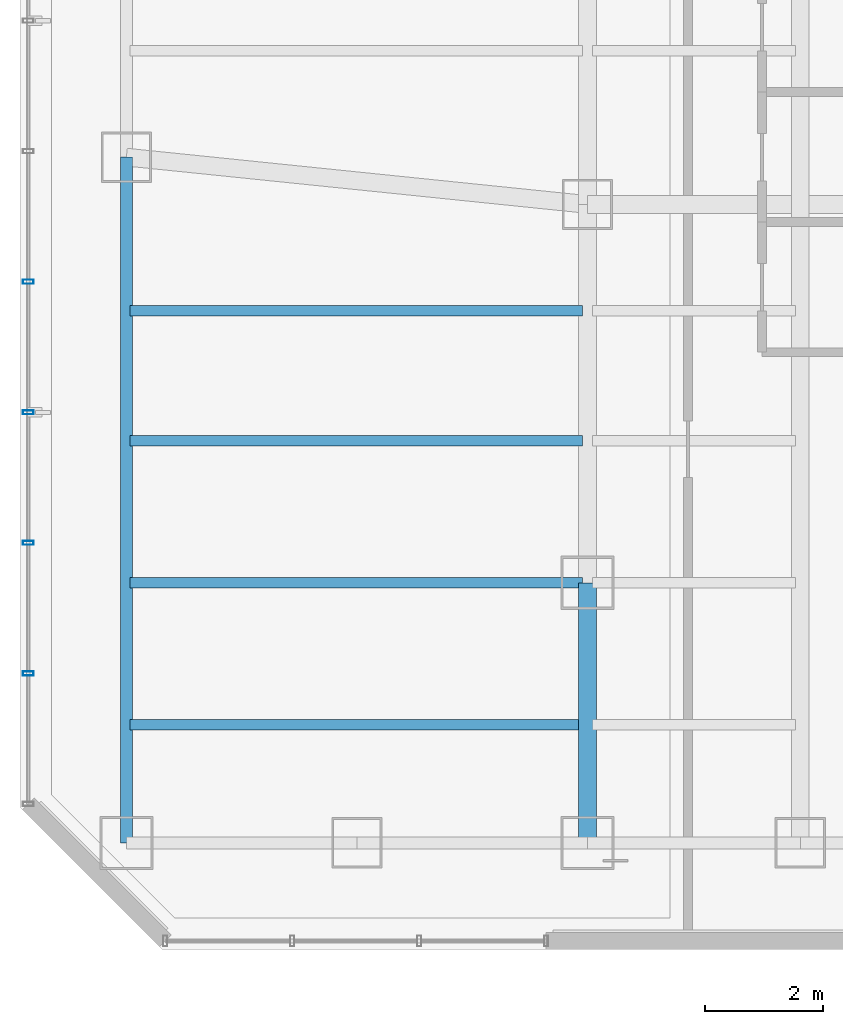
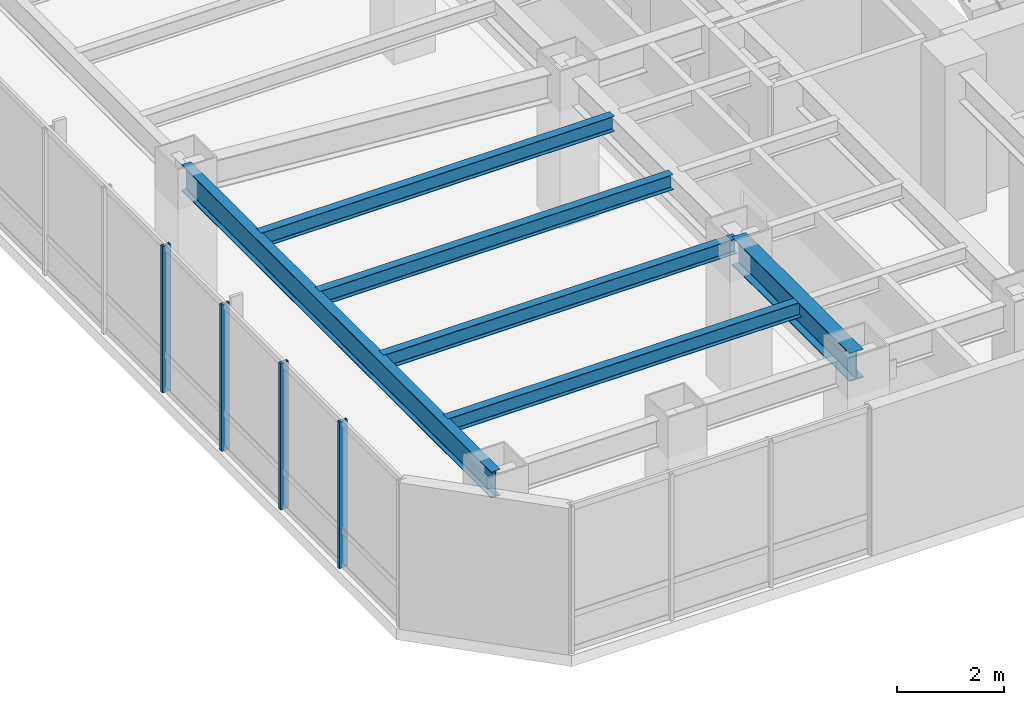
# One storey, part 4 of 29: 6 beams, 4 members, 1 element without a shape of its own.
"""IFC4 building model written with IfcOpenShell, lengths in metres."""

from ifc_helpers import new_model, si_unit, direction, frame, origin, origin_2d, place, context, subcontext, project, spatial, hollow_rectangle, i_section, extrude, material, layer, layer_set, material_profile, profile_set, type_object, element, aggregate, save


model = new_model("IFC4")

# Units and contexts
model_context = context("Model", 3, precision=1e-05, world=origin(), true_north=direction((0.0, 1.0)))
body_context = subcontext(model_context, "Body", "Model", "MODEL_VIEW")
ifc_project = project(units=[si_unit("LENGTHUNIT", "METRE"), si_unit("AREAUNIT", "SQUARE_METRE"), si_unit("VOLUMEUNIT", "CUBIC_METRE"), si_unit("PLANEANGLEUNIT", "RADIAN"), si_unit("MASSUNIT", "GRAM", prefix="KILO")], contexts=[model_context])

# Site, building, storey
site_placement = place(None, origin())
site = spatial("IfcSite", under=ifc_project, at=site_placement, CompositionType="ELEMENT")
building_placement = place(site_placement, origin())
building = spatial("IfcBuilding", under=site, at=building_placement, Name="Hatsunagi Terrace Concourse", CompositionType="ELEMENT")
storey_placement = place(building_placement, frame((0.0, 0.0, 115.64990234375)))
storey = spatial("IfcBuildingStorey", under=building, at=storey_placement, Name="L30", CompositionType="ELEMENT", Elevation=115.64990234375)

# Curtain wall, members
ifc_material_1 = material(Name="Anodised Aluminium Alloy 6063-T5", Category="aluminium")
ifc_layer = layer(ifc_material_1, 0.199951171875)
ifc_layer_set = layer_set([ifc_layer], Name="OfficeZone1_CW03")
curtain_wall_type = type_object("IfcCurtainWallType", Name="OfficeZone1_CW03", PredefinedType="NOTDEFINED", material=ifc_layer_set)
curtain_wall_placement = place(storey_placement, origin())
curtain_wall = element("IfcCurtainWall", 1, at=curtain_wall_placement, inside=storey, type_object=curtain_wall_type, Name="Unitised Curtain Wall CW-03 CW-L30-09", PredefinedType="NOTDEFINED")
ifc_material_2 = material(Name="Anodised Aluminium Alloy 6063-T5", Category="aluminium")
ifc_material_profile_1 = material_profile(ifc_material_2, hollow_rectangle(XDim=0.070068359375, YDim=0.179931640625, WallThickness=0.00390625, at=origin_2d()), Name="ALU-MUL-180x70x4")
ifc_profile_set_1 = profile_set([ifc_material_profile_1], Name="Anodised Aluminium Alloy 6063-T5")
member_type = type_object("IfcMemberType", Name="CurtainWallMullion_180x70", PredefinedType="MULLION", material=ifc_profile_set_1)
member_1_placement = place(storey_placement, frame((9.739990234375, 28.06591796875, 0.0), z_axis=(0.0, 0.0, 1.0), x_axis=(0.0, 1.0, 0.0)))
member_1 = element("IfcMember", 2, at=member_1_placement, type_object=member_type, Name="Curtain Wall Mullion MUL-02", PredefinedType="MULLION", context=body_context, shape_type="SweptSolid", body=[
    extrude(hollow_rectangle(XDim=0.070068359375, YDim=0.179931640625, WallThickness=0.00390625, at=origin_2d()), origin(), (0.0, 0.0, 1.0), 3.35009765625),
])
member_2_placement = place(storey_placement, frame((9.739990234375, 30.27490234375, 0.0), z_axis=(0.0, 0.0, 1.0), x_axis=(0.0, 1.0, 0.0)))
member_2 = element("IfcMember", 3, at=member_2_placement, type_object=member_type, Name="Curtain Wall Mullion MUL-02", PredefinedType="MULLION", context=body_context, shape_type="SweptSolid", body=[
    extrude(hollow_rectangle(XDim=0.070068359375, YDim=0.179931640625, WallThickness=0.00390625, at=origin_2d()), origin(), (0.0, 0.0, 1.0), 3.35009765625),
])
member_3_placement = place(storey_placement, frame((9.739990234375, 32.48291015625, 0.0), z_axis=(0.0, 0.0, 1.0), x_axis=(0.0, 1.0, 0.0)))
member_3 = element("IfcMember", 4, at=member_3_placement, type_object=member_type, Name="Curtain Wall Mullion MUL-02", PredefinedType="MULLION", context=body_context, shape_type="SweptSolid", body=[
    extrude(hollow_rectangle(XDim=0.070068359375, YDim=0.179931640625, WallThickness=0.00390625, at=origin_2d()), origin(), (0.0, 0.0, 1.0), 3.35009765625),
])
member_4_placement = place(storey_placement, frame((9.739990234375, 34.69189453125, 0.0), z_axis=(0.0, 0.0, 1.0), x_axis=(0.0, 1.0, 0.0)))
member_4 = element("IfcMember", 5, at=member_4_placement, type_object=member_type, Name="Curtain Wall Mullion MUL-02", PredefinedType="MULLION", context=body_context, shape_type="SweptSolid", body=[
    extrude(hollow_rectangle(XDim=0.070068359375, YDim=0.179931640625, WallThickness=0.00390625, at=origin_2d()), origin(), (0.0, 0.0, 1.0), 3.35009765625),
])
aggregate(curtain_wall, [member_1, member_2, member_3, member_4])

# Beams
ifc_material_3 = material(Name="Steel SN490B", Category="steel")
ifc_material_profile_2 = material_profile(ifc_material_3, i_section(OverallWidth=0.175048828125, OverallDepth=0.35009765625, WebThickness=0.007080078125, FlangeThickness=0.010986328125, FilletRadius=0.012939453125, at=origin_2d()), Name="H-350x175x7x11")
ifc_profile_set_2 = profile_set([ifc_material_profile_2], Name="Steel SN490B")
beam_type_1 = type_object("IfcBeamType", Name="HotelJoist_H_350x175", PredefinedType="JOIST", material=ifc_profile_set_2)
for number, where, z_axis, x_axis, name in (
    (6, (11.465087890625, 27.199951171875, 3.175048828125), (1.0, 0.0, 0.0), (0.0, 1.0, 0.0), "Beam J-02 J-L30-W-11-272"),
    (7, (11.465087890625, 29.60009765625, 3.175048828125), (1.0, 0.0, 0.0), (0.0, 1.0, 0.0), "Beam J-02 J-L30-W-11-296"),
    (8, (11.465087890625, 32.0, 3.175048828125), (1.0, 0.0, 0.0), (0.0, 1.0, 0.0), "Beam J-02 J-L30-W-11-320"),
    (9, (11.465087890625, 34.199951171875, 3.175048828125), (1.0, 0.0, 0.0), (0.0, 1.0, 0.0), "Beam J-02 J-L30-W-11-342"),
):
    element("IfcBeam", number, at=place(storey_placement, frame(where, z_axis=z_axis, x_axis=x_axis)), inside=storey, type_object=beam_type_1, Name=name, PredefinedType="JOIST", context=body_context, shape_type="SweptSolid", body=[
        extrude(i_section(OverallWidth=0.175048828125, OverallDepth=0.35009765625, WebThickness=0.007080078125, FlangeThickness=0.010986328125, FilletRadius=0.012939453125, at=origin_2d()), origin(), (0.0, 0.0, 1.0), 7.64990234375),
    ])
ifc_material_4 = material(Name="Steel SN490B", Category="steel")
ifc_material_profile_3 = material_profile(ifc_material_4, i_section(OverallWidth=0.300048828125, OverallDepth=0.64990234375, WebThickness=0.012939453125, FlangeThickness=0.02197265625, FilletRadius=0.01806640625, at=origin_2d()), Name="H-650x300x13x22")
ifc_profile_set_3 = profile_set([ifc_material_profile_3], Name="Steel SN490B")
beam_type_2 = type_object("IfcBeamType", Name="OfficeLowGirder_H_650x300", PredefinedType="BEAM", material=ifc_profile_set_3)
beam_1_placement = place(storey_placement, frame((19.199951171875, 25.199951171875, 3.025146484375), z_axis=(0.0, 1.0, 0.0), x_axis=(-1.0, 0.0, 0.0)))
element("IfcBeam", 10, at=beam_1_placement, inside=storey, type_object=beam_type_2, Name="Beam G-05 BM-L30-NS-19-25", PredefinedType="BEAM", context=body_context, shape_type="SweptSolid", body=[
    extrude(i_section(OverallWidth=0.300048828125, OverallDepth=0.64990234375, WebThickness=0.012939453125, FlangeThickness=0.02197265625, FilletRadius=0.01806640625, at=origin_2d()), origin(), (0.0, 0.0, 1.0), 4.400146484375),
])
ifc_material_5 = material(Name="Steel SN490B", Category="steel")
ifc_material_profile_4 = material_profile(ifc_material_5, i_section(OverallWidth=0.199951171875, OverallDepth=0.60009765625, WebThickness=0.010986328125, FlangeThickness=0.01708984375, FilletRadius=0.01806640625, at=origin_2d()), Name="H-600x200x11x17")
ifc_profile_set_4 = profile_set([ifc_material_profile_4], Name="Steel SN490B")
beam_type_3 = type_object("IfcBeamType", Name="PerimeterSpandrel_H_600x200", PredefinedType="SPANDREL", material=ifc_profile_set_4)
beam_2_placement = place(storey_placement, frame((11.39990234375, 25.199951171875, 3.050048828125), z_axis=(0.0, 1.0, 0.0), x_axis=(-1.0, 0.0, 0.0)))
element("IfcBeam", 11, at=beam_2_placement, inside=storey, type_object=beam_type_3, Name="Beam SP-01 BM-L30-NS-11-25", PredefinedType="SPANDREL", context=body_context, shape_type="SweptSolid", body=[
    extrude(i_section(OverallWidth=0.199951171875, OverallDepth=0.60009765625, WebThickness=0.010986328125, FlangeThickness=0.01708984375, FilletRadius=0.01806640625, at=origin_2d()), origin(), (0.0, 0.0, 1.0), 11.60009765625),
])

save(model, "model.ifc")
